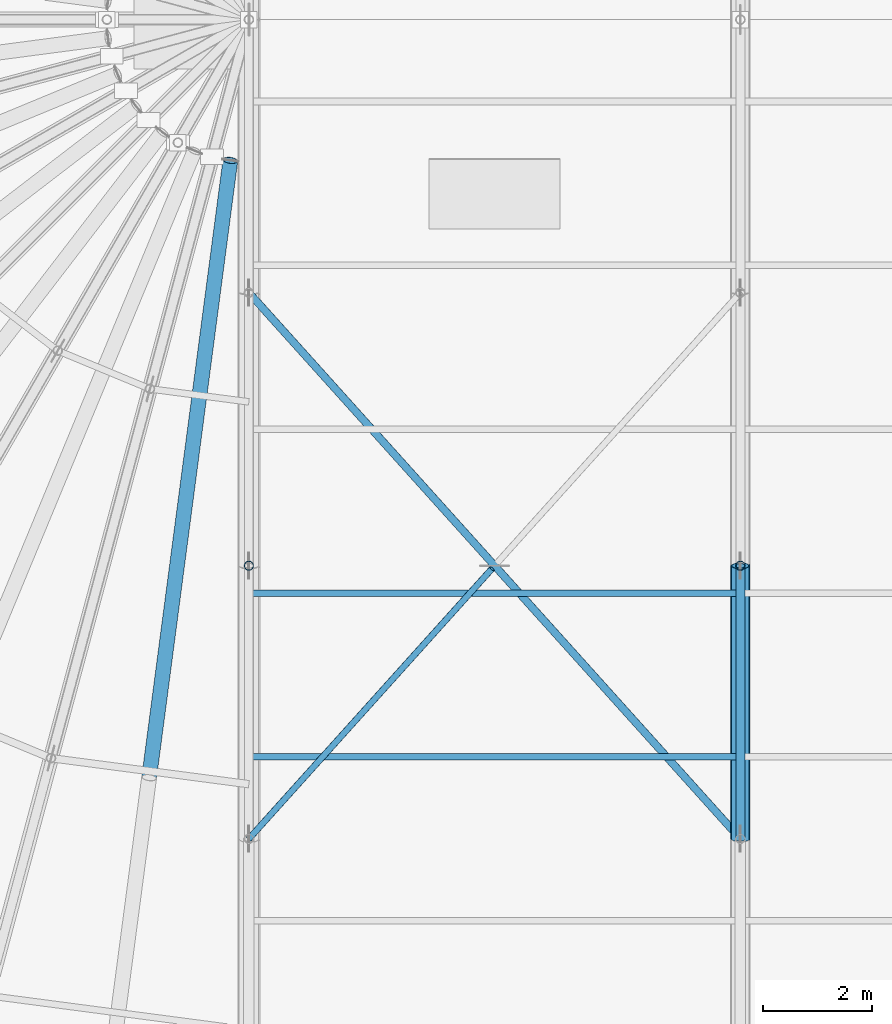
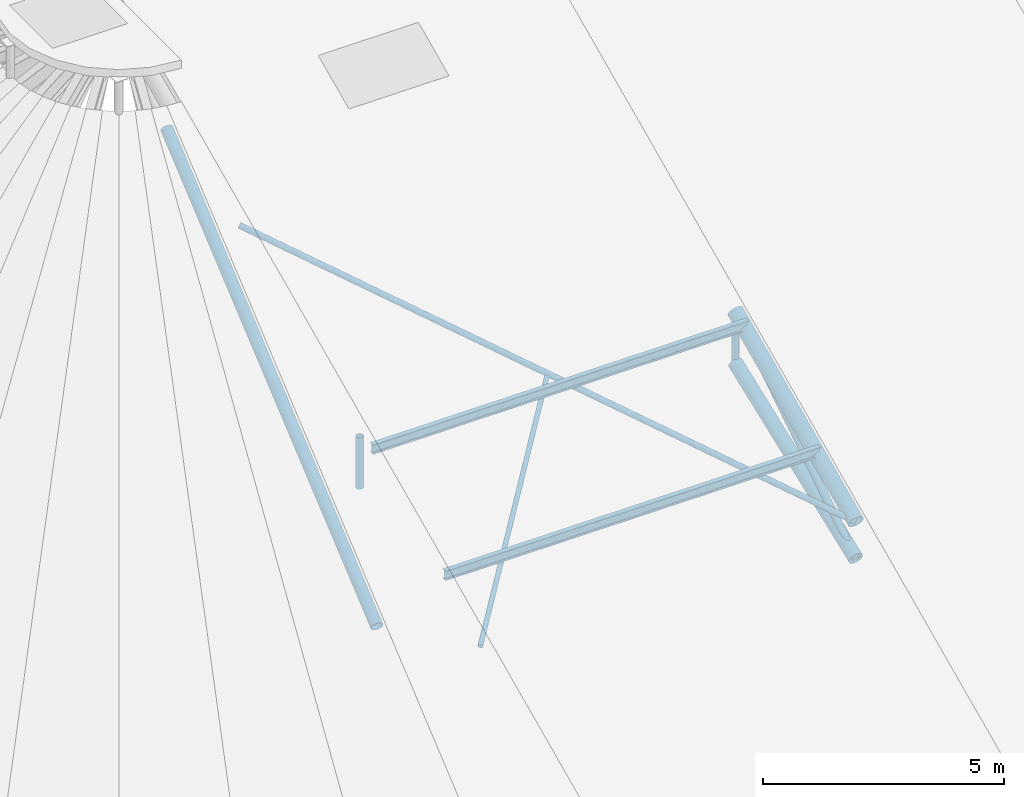
# One storey, part 2 of 107: 10 members.
"""IFC4 building model written with IfcOpenShell, lengths in metres."""

from ifc_helpers import new_model, si_unit, derived_unit, direction, frame, origin, origin_2d, place, context, subcontext, project, spatial, hollow_circle, i_section, extrude, material, material_profile, profile_set, type_object, element, save


model = new_model("IFC4")

# Units and contexts
model_context = context("Model", 3, precision=1e-05, world=origin(), true_north=direction((0.0, 1.0)))
body_context = subcontext(model_context, "Body", "Model", "MODEL_VIEW")
ifc_project = project(units=[si_unit("LENGTHUNIT", "METRE"), si_unit("AREAUNIT", "SQUARE_METRE"), si_unit("VOLUMEUNIT", "CUBIC_METRE"), si_unit("PLANEANGLEUNIT", "RADIAN"), si_unit("MASSUNIT", "GRAM", prefix="KILO"), si_unit("THERMODYNAMICTEMPERATUREUNIT", "KELVIN"), si_unit("TIMEUNIT", "SECOND"), derived_unit("THERMALTRANSMITTANCEUNIT", [(si_unit("MASSUNIT", "GRAM", prefix="KILO"), 1), (si_unit("THERMODYNAMICTEMPERATUREUNIT", "KELVIN"), -1), (si_unit("TIMEUNIT", "SECOND"), -3)])], contexts=[model_context])

# Site, building, storey
site_placement = place(None, origin())
site = spatial("IfcSite", under=ifc_project, at=site_placement, CompositionType="ELEMENT")
building_placement = place(site_placement, origin())
building = spatial("IfcBuilding", under=site, at=building_placement, Name="Cambertide Market Hall", CompositionType="ELEMENT")
storey_placement = place(building_placement, frame((0.0, 0.0, 18.300048828125)))
storey = spatial("IfcBuildingStorey", under=building, at=storey_placement, Name="RF", CompositionType="ELEMENT", Elevation=18.300048828125)

# Members
ifc_material_1 = material(Name="Steel S355", Category="steel")
ifc_material_profile_1 = material_profile(ifc_material_1, hollow_circle(Radius=0.161865234375, WallThickness=0.010009765625, at=origin_2d()), Name="CHS 323.9x10")
ifc_profile_set_1 = profile_set([ifc_material_profile_1], Name="Steel S355")
member_type_1 = type_object("IfcMemberType", Name="Arched Truss Chord CHS 323.9x10", PredefinedType="CHORD", material=ifc_profile_set_1)
member_1_placement = place(storey_placement, frame((51.0, 57.0, -8.1767578125), z_axis=(0.0, 0.933191676524, 0.359379040661), x_axis=(-1.0, 0.0, 0.0)))
element("IfcMember", 1, at=member_1_placement, inside=storey, type_object=member_type_1, Name="Roof Truss 2 Arched Bottom Chord 2", PredefinedType="CHORD", context=body_context, shape_type="SweptSolid", body=[
    extrude(hollow_circle(Radius=0.161865234375, WallThickness=0.010009765625, at=origin_2d()), origin(), (0.0, 0.0, 1.0), 5.35791015625),
])
ifc_material_2 = material(Name="Steel S355", Category="steel")
ifc_material_profile_2 = material_profile(ifc_material_2, hollow_circle(Radius=0.177734375, WallThickness=0.012451171875, at=origin_2d()), Name="CHS 355.6x12.5")
ifc_profile_set_2 = profile_set([ifc_material_profile_2], Name="Steel S355")
member_type_2 = type_object("IfcMemberType", Name="Arched Truss Chord CHS 355.6x12.5", PredefinedType="CHORD", material=ifc_profile_set_2)
member_2_placement = place(storey_placement, frame((51.0, 57.0, -7.25), z_axis=(0.0, 0.908487084298, 0.417912930721), x_axis=(-1.0, 0.0, 0.0)))
element("IfcMember", 2, at=member_2_placement, inside=storey, type_object=member_type_2, Name="Roof Truss 2 Top Chord 2", PredefinedType="CHORD", context=body_context, shape_type="SweptSolid", body=[
    extrude(hollow_circle(Radius=0.177734375, WallThickness=0.012451171875, at=origin_2d()), origin(), (0.0, 0.0, 1.0), 5.503662109375),
])
ifc_material_3 = material(Name="Steel S355", Category="steel")
ifc_material_profile_3 = material_profile(ifc_material_3, hollow_circle(Radius=0.136474609375, WallThickness=0.010009765625, at=origin_2d()), Name="CHS 273x10")
ifc_profile_set_3 = profile_set([ifc_material_profile_3], Name="Steel S355")
member_type_3 = type_object("IfcMemberType", Name="Radial Fan Rafter CHS 273x10", PredefinedType="RAFTER", material=ifc_profile_set_3)
member_3_placement = place(storey_placement, frame((41.66064453125, 69.42236328125, -1.546142578125), z_axis=(-0.11858507454, -0.900721251164, -0.417898083027), x_axis=(0.991444452242, -0.130529299847, 0.0)))
element("IfcMember", 3, at=member_3_placement, inside=storey, type_object=member_type_3, Name="RAF-W-23-A", PredefinedType="RAFTER", context=body_context, shape_type="SweptSolid", body=[
    extrude(hollow_circle(Radius=0.136474609375, WallThickness=0.010009765625, at=origin_2d()), origin(), (0.0, 0.0, 1.0), 12.54833984375),
])
ifc_material_4 = material(Name="Steel S275", Category="steel")
ifc_material_profile_4 = material_profile(ifc_material_4, i_section(OverallWidth=0.1201171875, OverallDepth=0.239990234375, WebThickness=0.006103515625, FlangeThickness=0.009765625, FilletRadius=0.014892578125, at=origin_2d()), Name="IPE 240")
ifc_profile_set_4 = profile_set([ifc_material_profile_4], Name="Steel S275")
member_type_4 = type_object("IfcMemberType", Name="Roof Purlin IPE 240", PredefinedType="PURLIN", material=ifc_profile_set_4)
for number, where, z_axis, x_axis, name in (
    (4, (42.0, 58.5, -6.35009765625), (1.0, 0.0, 0.0), (0.0, 1.0, 0.0), "Barrel Roof Purlin 1-04"),
    (5, (42.0, 61.5, -4.969970703125), (1.0, 0.0, 0.0), (0.0, 1.0, 0.0), "Barrel Roof Purlin 1-05"),
):
    element("IfcMember", number, at=place(storey_placement, frame(where, z_axis=z_axis, x_axis=x_axis)), inside=storey, type_object=member_type_4, Name=name, PredefinedType="PURLIN", context=body_context, shape_type="SweptSolid", body=[
        extrude(i_section(OverallWidth=0.1201171875, OverallDepth=0.239990234375, WebThickness=0.006103515625, FlangeThickness=0.009765625, FilletRadius=0.014892578125, at=origin_2d()), origin(), (0.0, 0.0, 1.0), 9.0),
    ])
ifc_material_5 = material(Name="Steel S275", Category="steel")
ifc_material_profile_5 = material_profile(ifc_material_5, hollow_circle(Radius=0.05712890625, WallThickness=0.0048828125, at=origin_2d()), Name="CHS 114.3x5")
ifc_profile_set_5 = profile_set([ifc_material_profile_5], Name="Steel S275")
member_type_5 = type_object("IfcMemberType", Name="Structural Brace CHS 114.3x5", PredefinedType="BRACE", material=ifc_profile_set_5)
member_4_placement = place(storey_placement, frame((46.45068359375, 61.945068359375, -4.975341796875), z_axis=(-0.632999690254, -0.703313698634, -0.323513884481), x_axis=(0.743285022771, -0.66897486868, 0.0)))
element("IfcMember", 6, at=member_4_placement, inside=storey, type_object=member_type_5, Name="Roof Wind X-Brace Split Segment 1-S2B", PredefinedType="BRACE", context=body_context, shape_type="SweptSolid", body=[
    extrude(hollow_circle(Radius=0.05712890625, WallThickness=0.0048828125, at=origin_2d()), origin(), (0.0, 0.0, 1.0), 7.031005859375),
])
ifc_material_6 = material(Name="Steel S275", Category="steel")
ifc_material_profile_6 = material_profile(ifc_material_6, hollow_circle(Radius=0.06982421875, WallThickness=0.0048828125, at=origin_2d()), Name="CHS 139.7x5")
ifc_profile_set_6 = profile_set([ifc_material_profile_6], Name="Steel S275")
member_type_6 = type_object("IfcMemberType", Name="Structural Brace CHS 139.7x5", PredefinedType="BRACE", material=ifc_profile_set_6)
member_5_placement = place(storey_placement, frame((42.0, 67.0, -2.650146484375), z_axis=(0.632989261711, -0.703321401901, -0.323517542315), x_axis=(0.743294146247, 0.668964731622, 0.0)))
element("IfcMember", 7, at=member_5_placement, inside=storey, type_object=member_type_6, Name="Roof Wind X-Brace Continuous Diagonal 1-S1", PredefinedType="BRACE", context=body_context, shape_type="SweptSolid", body=[
    extrude(hollow_circle(Radius=0.06982421875, WallThickness=0.0048828125, at=origin_2d()), origin(), (0.0, 0.0, 1.0), 14.21826171875),
])
ifc_material_7 = material(Name="Steel S355", Category="steel")
ifc_material_profile_7 = material_profile(ifc_material_7, hollow_circle(Radius=0.084228515625, WallThickness=0.00634765625, at=origin_2d()), Name="CHS 168.3x6.3")
ifc_profile_set_7 = profile_set([ifc_material_profile_7], Name="Steel S355")
member_type_7 = type_object("IfcMemberType", Name="Structural Brace CHS 168.3x6.3", PredefinedType="BRACE", material=ifc_profile_set_7)
member_6_placement = place(storey_placement, frame((42.0, 62.0, -6.251220703125), z_axis=(0.0, 0.0, 1.0), x_axis=(1.0, 0.0, 0.0)))
element("IfcMember", 8, at=member_6_placement, inside=storey, type_object=member_type_7, Name="Roof Truss 1 Web Post 3", PredefinedType="BRACE", context=body_context, shape_type="SweptSolid", body=[
    extrude(hollow_circle(Radius=0.084228515625, WallThickness=0.00634765625, at=origin_2d()), origin(), (0.0, 0.0, 1.0), 1.30126953125),
])
member_7_placement = place(storey_placement, frame((51.0, 57.0, -8.1767578125), z_axis=(0.0, 0.840220073362, 0.542245542462), x_axis=(-1.0, 0.0, 0.0)))
element("IfcMember", 9, at=member_7_placement, inside=storey, type_object=member_type_7, Name="Roof Truss 2 Web Diagonal 2", PredefinedType="BRACE", context=body_context, shape_type="SweptSolid", body=[
    extrude(hollow_circle(Radius=0.084228515625, WallThickness=0.00634765625, at=origin_2d()), origin(), (0.0, 0.0, 1.0), 5.950927734375),
])
member_8_placement = place(storey_placement, frame((51.0, 62.0, -6.251220703125), z_axis=(0.0, 0.0, 1.0), x_axis=(1.0, 0.0, 0.0)))
element("IfcMember", 10, at=member_8_placement, inside=storey, type_object=member_type_7, Name="Roof Truss 2 Web Post 3", PredefinedType="BRACE", context=body_context, shape_type="SweptSolid", body=[
    extrude(hollow_circle(Radius=0.084228515625, WallThickness=0.00634765625, at=origin_2d()), origin(), (0.0, 0.0, 1.0), 1.30126953125),
])

save(model, "model.ifc")
